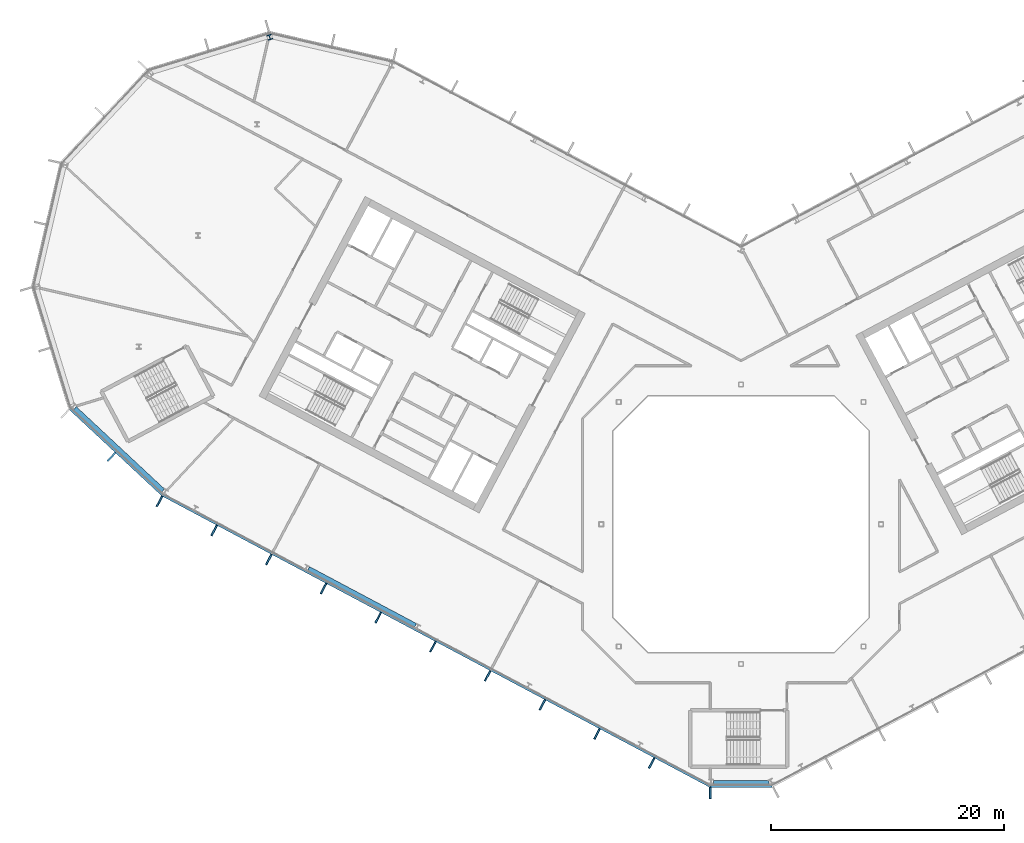
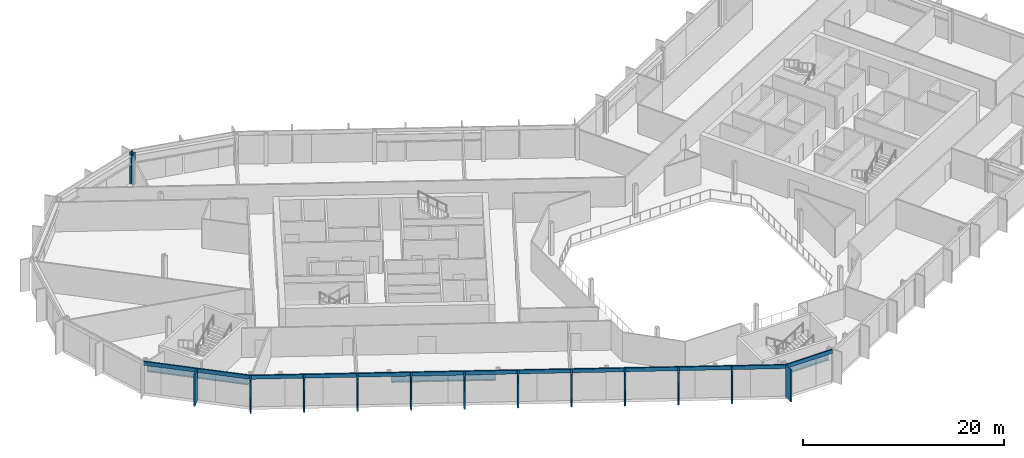
# One storey, part 8 of 26: 15 members, 3 beams, 1 column, 3 elements without a shape of their own.
"""IFC4 building model written with IfcOpenShell, lengths in metres."""

from ifc_helpers import new_model, si_unit, direction, frame, origin, origin_2d, place, context, subcontext, project, spatial, rectangle, i_section, extrude, material, layer, layer_set, material_profile, profile_set, type_object, element, aggregate, save


model = new_model("IFC4")

# Units and contexts
model_context = context("Model", 3, precision=1e-05, world=origin(), true_north=direction((0.0, 1.0)))
body_context = subcontext(model_context, "Body", "Model", "MODEL_VIEW")
ifc_project = project(units=[si_unit("LENGTHUNIT", "METRE"), si_unit("AREAUNIT", "SQUARE_METRE"), si_unit("VOLUMEUNIT", "CUBIC_METRE"), si_unit("PLANEANGLEUNIT", "RADIAN"), si_unit("MASSUNIT", "GRAM", prefix="KILO")], contexts=[model_context])

# Site, building, storey
site_placement = place(None, origin())
site = spatial("IfcSite", under=ifc_project, at=site_placement, CompositionType="ELEMENT")
building_placement = place(site_placement, origin())
building = spatial("IfcBuilding", under=site, at=building_placement, Name="Cormorant Relay Tower", CompositionType="ELEMENT")
storey_placement = place(building_placement, frame((0.0, 0.0, 244.199951171875)))
storey = spatial("IfcBuildingStorey", under=building, at=storey_placement, Name="L54", CompositionType="ELEMENT", Elevation=244.199951171875)

# Column
ifc_material_1 = material(Name="Steel ASTM A992 (Fy 345 MPa)", Category="steel")
ifc_material_profile_1 = material_profile(ifc_material_1, i_section(OverallWidth=0.41162109375, OverallDepth=0.434326171875, WebThickness=0.035888671875, FlangeThickness=0.057373046875, FilletRadius=0.01513671875, at=origin_2d()), Name="W360x463")
ifc_profile_set_1 = profile_set([ifc_material_profile_1], Name="Steel ASTM A992 (Fy 345 MPa)")
column_type = type_object("IfcColumnType", Name="Column W360x463", PredefinedType="COLUMN", material=ifc_profile_set_1)
column_placement = place(storey_placement, frame((-40.455078125, 41.803955078125, 0.0), z_axis=(0.0, 0.0, 1.0), x_axis=(-0.956304755963, -0.292371704723, 0.0)))
element("IfcColumn", 1, at=column_placement, inside=storey, type_object=column_type, Name="Column L54-045", PredefinedType="COLUMN", context=body_context, shape_type="SweptSolid", body=[
    extrude(i_section(OverallWidth=0.41162109375, OverallDepth=0.434326171875, WebThickness=0.035888671875, FlangeThickness=0.057373046875, FilletRadius=0.01513671875, at=origin_2d()), origin(), (0.0, 0.0, 1.0), 3.900146484375),
])

# Curtain wall, member
ifc_material_2 = material(Name="Aluminium 6063-T6 anodised bronze", Category="aluminium")
ifc_layer = layer(ifc_material_2, 0.199951171875)
ifc_layer_set = layer_set([ifc_layer], Name="CW1 unitised bronze curtain wall with vertical fins")
curtain_wall_type = type_object("IfcCurtainWallType", Name="CW1 unitised bronze curtain wall with vertical fins", PredefinedType="NOTDEFINED", material=ifc_layer_set)
curtain_wall_1_placement = place(storey_placement, origin())
curtain_wall_1 = element("IfcCurtainWall", 2, at=curtain_wall_1_placement, inside=storey, type_object=curtain_wall_type, Name="CW1 curtain wall 1", PredefinedType="NOTDEFINED")
ifc_material_3 = material(Name="Aluminium 6063-T6 anodised bronze", Category="aluminium")
ifc_material_profile_2 = material_profile(ifc_material_3, rectangle(XDim=0.14990234375, YDim=1.0, at=origin_2d()), Name="AL 150x1000")
ifc_profile_set_2 = profile_set([ifc_material_profile_2], Name="Aluminium 6063-T6 anodised bronze")
member_type_1 = type_object("IfcMemberType", Name="CW1 bronze fin mullion 150 x 1000", PredefinedType="MULLION", material=ifc_profile_set_2)
member_1_placement = place(storey_placement, frame((-2.648681640625, -23.07568359375, 0.0), z_axis=(0.0, 0.0, 1.0), x_axis=(1.0, 0.0, 0.0)))
member_1 = element("IfcMember", 3, at=member_1_placement, type_object=member_type_1, Name="CW1 fin 1.1", PredefinedType="MULLION", context=body_context, shape_type="SweptSolid", body=[
    extrude(rectangle(XDim=0.14990234375, YDim=1.0, at=origin_2d()), origin(), (0.0, 0.0, 1.0), 3.900146484375),
])

curtain_wall_2_placement = place(storey_placement, origin())
curtain_wall_2 = element("IfcCurtainWall", 4, at=curtain_wall_2_placement, inside=storey, type_object=curtain_wall_type, Name="CW1 curtain wall 15", PredefinedType="NOTDEFINED")
member_2_placement = place(storey_placement, frame((-54.0439453125, 5.779296875, 0.0), z_axis=(0.0, 0.0, 1.0), x_axis=(0.731353701619, -0.681998360062, 0.0)))
member_2 = element("IfcMember", 5, at=member_2_placement, type_object=member_type_1, Name="CW1 fin 15.2", PredefinedType="MULLION", context=body_context, shape_type="SweptSolid", body=[
    extrude(rectangle(XDim=0.14990234375, YDim=1.0, at=origin_2d()), origin(), (0.0, 0.0, 1.0), 3.900146484375),
])

# Curtain wall, members
curtain_wall_3_placement = place(storey_placement, origin())
curtain_wall_3 = element("IfcCurtainWall", 6, at=curtain_wall_3_placement, inside=storey, type_object=curtain_wall_type, Name="CW1 curtain wall 16", PredefinedType="NOTDEFINED")
member_3_placement = place(storey_placement, frame((-49.920166015625, 1.96630859375, 0.0), z_axis=(0.0, 0.0, 1.0), x_axis=(0.882947592859, -0.469471562786, 0.0)))
member_3 = element("IfcMember", 7, at=member_3_placement, type_object=member_type_1, Name="CW1 fin 16.1", PredefinedType="MULLION", context=body_context, shape_type="SweptSolid", body=[
    extrude(rectangle(XDim=0.14990234375, YDim=1.0, at=origin_2d()), origin(), (0.0, 0.0, 1.0), 3.900146484375),
])
member_4_placement = place(storey_placement, frame((-45.225830078125, -0.52978515625, 0.0), z_axis=(0.0, 0.0, 1.0), x_axis=(0.882947592859, -0.469471562786, 0.0)))
member_4 = element("IfcMember", 8, at=member_4_placement, type_object=member_type_1, Name="CW1 fin 16.2", PredefinedType="MULLION", context=body_context, shape_type="SweptSolid", body=[
    extrude(rectangle(XDim=0.14990234375, YDim=1.0, at=origin_2d()), origin(), (0.0, 0.0, 1.0), 3.900146484375),
])
member_5_placement = place(storey_placement, frame((-40.531494140625, -3.025634765625, 0.0), z_axis=(0.0, 0.0, 1.0), x_axis=(0.882947592859, -0.469471562786, 0.0)))
member_5 = element("IfcMember", 9, at=member_5_placement, type_object=member_type_1, Name="CW1 fin 16.3", PredefinedType="MULLION", context=body_context, shape_type="SweptSolid", body=[
    extrude(rectangle(XDim=0.14990234375, YDim=1.0, at=origin_2d()), origin(), (0.0, 0.0, 1.0), 3.900146484375),
])
member_6_placement = place(storey_placement, frame((-35.83740234375, -5.521728515625, 0.0), z_axis=(0.0, 0.0, 1.0), x_axis=(0.882947592859, -0.469471562786, 0.0)))
member_6 = element("IfcMember", 10, at=member_6_placement, type_object=member_type_1, Name="CW1 fin 16.4", PredefinedType="MULLION", context=body_context, shape_type="SweptSolid", body=[
    extrude(rectangle(XDim=0.14990234375, YDim=1.0, at=origin_2d()), origin(), (0.0, 0.0, 1.0), 3.900146484375),
])
member_7_placement = place(storey_placement, frame((-31.14306640625, -8.017578125, 0.0), z_axis=(0.0, 0.0, 1.0), x_axis=(0.882947592859, -0.469471562786, 0.0)))
member_7 = element("IfcMember", 11, at=member_7_placement, type_object=member_type_1, Name="CW1 fin 16.5", PredefinedType="MULLION", context=body_context, shape_type="SweptSolid", body=[
    extrude(rectangle(XDim=0.14990234375, YDim=1.0, at=origin_2d()), origin(), (0.0, 0.0, 1.0), 3.900146484375),
])
member_8_placement = place(storey_placement, frame((-26.44873046875, -10.513671875, 0.0), z_axis=(0.0, 0.0, 1.0), x_axis=(0.882947592859, -0.469471562786, 0.0)))
member_8 = element("IfcMember", 12, at=member_8_placement, type_object=member_type_1, Name="CW1 fin 16.6", PredefinedType="MULLION", context=body_context, shape_type="SweptSolid", body=[
    extrude(rectangle(XDim=0.14990234375, YDim=1.0, at=origin_2d()), origin(), (0.0, 0.0, 1.0), 3.900146484375),
])
member_9_placement = place(storey_placement, frame((-21.754638671875, -13.009765625, 0.0), z_axis=(0.0, 0.0, 1.0), x_axis=(0.882947592859, -0.469471562786, 0.0)))
member_9 = element("IfcMember", 13, at=member_9_placement, type_object=member_type_1, Name="CW1 fin 16.7", PredefinedType="MULLION", context=body_context, shape_type="SweptSolid", body=[
    extrude(rectangle(XDim=0.14990234375, YDim=1.0, at=origin_2d()), origin(), (0.0, 0.0, 1.0), 3.900146484375),
])
member_10_placement = place(storey_placement, frame((-17.060302734375, -15.505615234375, 0.0), z_axis=(0.0, 0.0, 1.0), x_axis=(0.882947592859, -0.469471562786, 0.0)))
member_10 = element("IfcMember", 14, at=member_10_placement, type_object=member_type_1, Name="CW1 fin 16.8", PredefinedType="MULLION", context=body_context, shape_type="SweptSolid", body=[
    extrude(rectangle(XDim=0.14990234375, YDim=1.0, at=origin_2d()), origin(), (0.0, 0.0, 1.0), 3.900146484375),
])
member_11_placement = place(storey_placement, frame((-12.365966796875, -18.001708984375, 0.0), z_axis=(0.0, 0.0, 1.0), x_axis=(0.882947592859, -0.469471562786, 0.0)))
member_11 = element("IfcMember", 15, at=member_11_placement, type_object=member_type_1, Name="CW1 fin 16.9", PredefinedType="MULLION", context=body_context, shape_type="SweptSolid", body=[
    extrude(rectangle(XDim=0.14990234375, YDim=1.0, at=origin_2d()), origin(), (0.0, 0.0, 1.0), 3.900146484375),
])
member_12_placement = place(storey_placement, frame((-7.671630859375, -20.49755859375, 0.0), z_axis=(0.0, 0.0, 1.0), x_axis=(0.882947592859, -0.469471562786, 0.0)))
member_12 = element("IfcMember", 16, at=member_12_placement, type_object=member_type_1, Name="CW1 fin 16.10", PredefinedType="MULLION", context=body_context, shape_type="SweptSolid", body=[
    extrude(rectangle(XDim=0.14990234375, YDim=1.0, at=origin_2d()), origin(), (0.0, 0.0, 1.0), 3.900146484375),
])

# Member
ifc_material_4 = material(Name="Aluminium 6063-T6 anodised bronze", Category="aluminium")
ifc_material_profile_3 = material_profile(ifc_material_4, rectangle(XDim=0.159912109375, YDim=0.449951171875, at=origin_2d()), Name="AL 160x450")
ifc_profile_set_3 = profile_set([ifc_material_profile_3], Name="Aluminium 6063-T6 anodised bronze")
member_type_2 = type_object("IfcMemberType", Name="CW1 bronze transom 160 x 450", PredefinedType="USERDEFINED", material=ifc_profile_set_3)
member_13_placement = place(storey_placement, frame((-2.648681640625, -22.49560546875, 3.675048828125), z_axis=(1.0, 0.0, 0.0), x_axis=(0.0, 1.0, 0.0)))
member_13 = element("IfcMember", 17, at=member_13_placement, type_object=member_type_2, Name="CW1 transom 1", ObjectType="TRANSOM", PredefinedType="USERDEFINED", context=body_context, shape_type="SweptSolid", body=[
    extrude(rectangle(XDim=0.159912109375, YDim=0.449951171875, at=origin_2d()), origin(), (0.0, 0.0, 1.0), 5.29736328125),
])

aggregate(curtain_wall_1, [member_1, member_13])

member_14_placement = place(storey_placement, frame((-57.62353515625, 9.91015625, 3.675048828125), z_axis=(0.731358420696, -0.681993299437, 0.0), x_axis=(0.681993299437, 0.731358420696, 0.0)))
member_14 = element("IfcMember", 18, at=member_14_placement, type_object=member_type_2, Name="CW1 transom 15", ObjectType="TRANSOM", PredefinedType="USERDEFINED", context=body_context, shape_type="SweptSolid", body=[
    extrude(rectangle(XDim=0.159912109375, YDim=0.449951171875, at=origin_2d()), origin(), (0.0, 0.0, 1.0), 10.870361328125),
])

aggregate(curtain_wall_2, [member_2, member_14])

member_15_placement = place(storey_placement, frame((-49.64794921875, 2.478515625, 3.675048828125), z_axis=(0.882947642542, -0.469471469346, 0.0), x_axis=(0.469471469346, 0.882947642542, 0.0)))
member_15 = element("IfcMember", 19, at=member_15_placement, type_object=member_type_2, Name="CW1 transom 16", ObjectType="TRANSOM", PredefinedType="USERDEFINED", context=body_context, shape_type="SweptSolid", body=[
    extrude(rectangle(XDim=0.159912109375, YDim=0.449951171875, at=origin_2d()), origin(), (0.0, 0.0, 1.0), 53.166015625),
])

aggregate(curtain_wall_3, [member_3, member_4, member_5, member_6, member_7, member_8, member_9, member_10, member_11, member_12, member_15])

# Beams
ifc_material_5 = material(Name="Steel ASTM A992 (Fy 345 MPa)", Category="steel")
ifc_material_profile_4 = material_profile(ifc_material_5, i_section(OverallWidth=0.4013671875, OverallDepth=0.990478515625, WebThickness=0.0166015625, FlangeThickness=0.031005859375, FilletRadius=0.030029296875, at=origin_2d()), Name="W1000x320")
ifc_profile_set_4 = profile_set([ifc_material_profile_4], Name="Steel ASTM A992 (Fy 345 MPa)")
beam_type = type_object("IfcBeamType", Name="Spandrel W1000x320", PredefinedType="SPANDREL", material=ifc_profile_set_4)
beam_1_placement = place(storey_placement, frame((-2.3701171875, -22.1748046875, 3.044677734375), z_axis=(1.0, 0.0, 0.0), x_axis=(0.0, 1.0, 0.0)))
element("IfcBeam", 20, at=beam_1_placement, inside=storey, type_object=beam_type, Name="Spandrel beam L54-001", PredefinedType="SPANDREL", context=body_context, shape_type="SweptSolid", body=[
    extrude(i_section(OverallWidth=0.4013671875, OverallDepth=0.990478515625, WebThickness=0.0166015625, FlangeThickness=0.031005859375, FilletRadius=0.030029296875, at=origin_2d()), origin(), (0.0, 0.0, 1.0), 4.761474609375),
])
beam_2_placement = place(storey_placement, frame((-57.19580078125, 9.94970703125, 3.044677734375), z_axis=(0.731351589689, -0.682000624824, 0.0), x_axis=(0.682000624824, 0.731351589689, 0.0)))
element("IfcBeam", 21, at=beam_2_placement, inside=storey, type_object=beam_type, Name="Spandrel beam L54-015", PredefinedType="SPANDREL", context=body_context, shape_type="SweptSolid", body=[
    extrude(i_section(OverallWidth=0.4013671875, OverallDepth=0.990478515625, WebThickness=0.0166015625, FlangeThickness=0.031005859375, FilletRadius=0.030029296875, at=origin_2d()), origin(), (0.0, 0.0, 1.0), 10.354248046875),
])
beam_3_placement = place(storey_placement, frame((-37.134033203125, -3.812255859375, 3.044677734375), z_axis=(0.882949648898, -0.469467695918, 0.0), x_axis=(0.469467695918, 0.882949648898, 0.0)))
element("IfcBeam", 22, at=beam_3_placement, inside=storey, type_object=beam_type, Name="Spandrel beam L54-016", PredefinedType="SPANDREL", context=body_context, shape_type="SweptSolid", body=[
    extrude(i_section(OverallWidth=0.4013671875, OverallDepth=0.990478515625, WebThickness=0.0166015625, FlangeThickness=0.031005859375, FilletRadius=0.030029296875, at=origin_2d()), origin(), (0.0, 0.0, 1.0), 10.39599609375),
])

save(model, "model.ifc")
